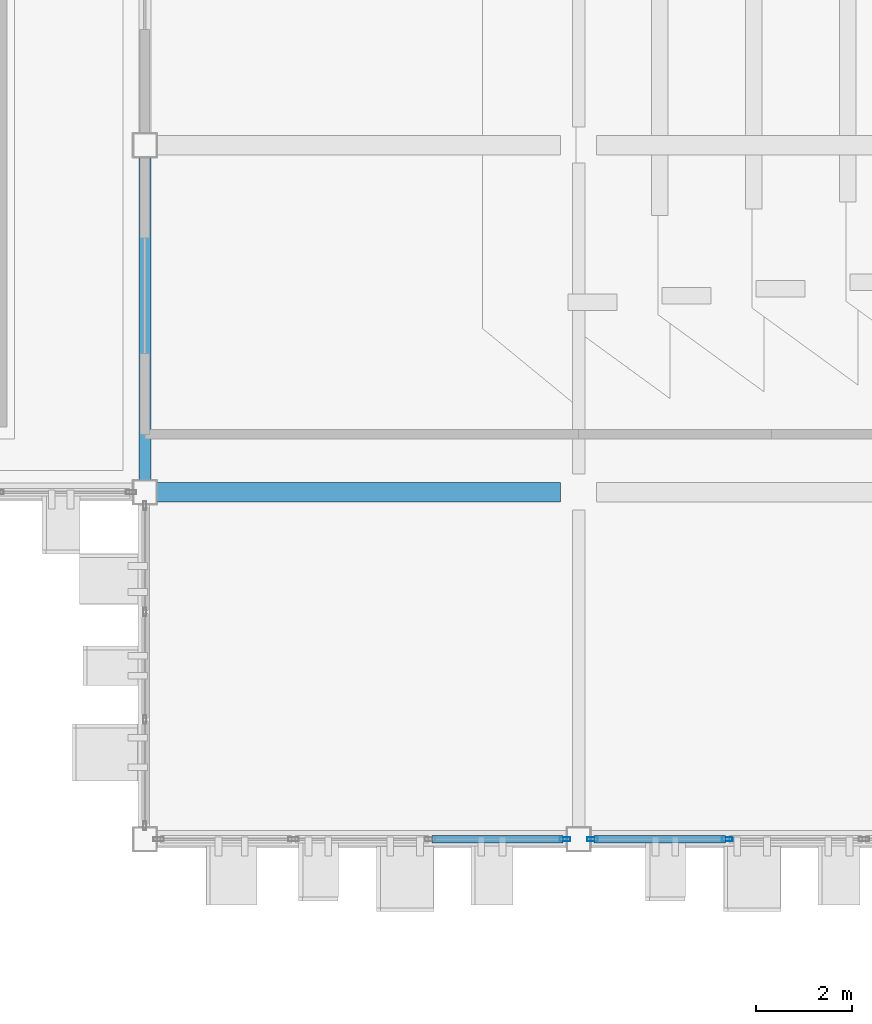
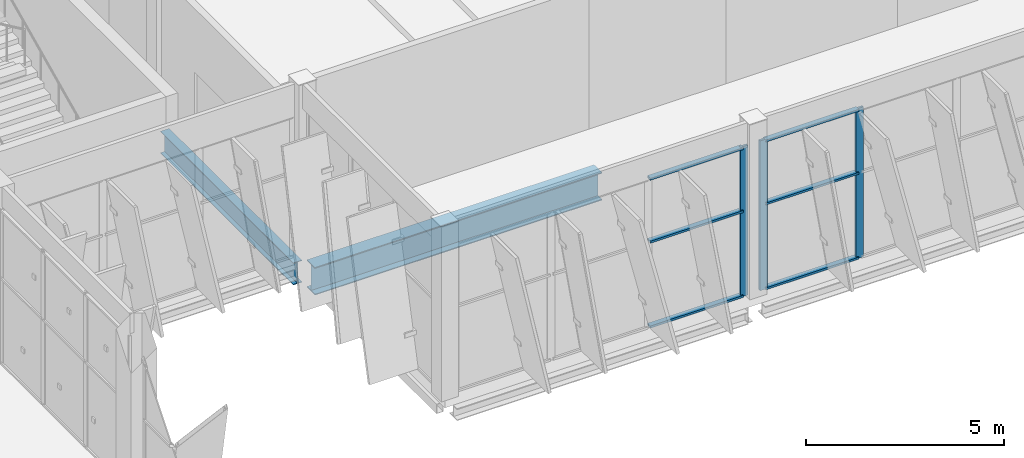
# One storey, part 79 of 189: 9 members, 2 beams, 2 elements without a shape of their own.
"""IFC4 building model written with IfcOpenShell, lengths in metres."""

from ifc_helpers import new_model, si_unit, direction, frame, origin, origin_2d, place, context, subcontext, project, spatial, hollow_rectangle, i_section, extrude, material, layer, layer_set, material_profile, profile_set, type_object, element, aggregate, save


model = new_model("IFC4")

# Units and contexts
model_context = context("Model", 3, precision=1e-05, world=origin(), true_north=direction((0.0, 1.0)))
body_context = subcontext(model_context, "Body", "Model", "MODEL_VIEW")
ifc_project = project(units=[si_unit("LENGTHUNIT", "METRE"), si_unit("AREAUNIT", "SQUARE_METRE"), si_unit("VOLUMEUNIT", "CUBIC_METRE"), si_unit("PLANEANGLEUNIT", "RADIAN"), si_unit("MASSUNIT", "GRAM", prefix="KILO")], contexts=[model_context])

# Site, building, storey
site_placement = place(None, origin())
site = spatial("IfcSite", under=ifc_project, at=site_placement, CompositionType="ELEMENT")
building_placement = place(site_placement, origin())
building = spatial("IfcBuilding", under=site, at=building_placement, Name="Celestram Park Convention Centre", CompositionType="ELEMENT")
storey_placement = place(building_placement, frame((0.0, 0.0, 5.39990234375)))
storey = spatial("IfcBuildingStorey", under=building, at=storey_placement, Name="L01", CompositionType="ELEMENT", Elevation=5.39990234375)

# Curtain wall, members
ifc_material_1 = material(Name="Anodised Aluminium Alloy 6063-T6", Category="aluminium")
ifc_layer = layer(ifc_material_1, 0.179931640625)
ifc_layer_set = layer_set([ifc_layer], Name="Anodised Aluminium Alloy 6063-T6")
curtain_wall_type = type_object("IfcCurtainWallType", Name="ARC-CW-850X462", PredefinedType="NOTDEFINED", material=ifc_layer_set)
curtain_wall_1_placement = place(storey_placement, origin())
curtain_wall_1 = element("IfcCurtainWall", 1, at=curtain_wall_1_placement, inside=storey, type_object=curtain_wall_type, Name="Unitised curtain wall CU-L01-082", PredefinedType="NOTDEFINED")
ifc_material_profile_1 = material_profile(ifc_material_1, hollow_rectangle(XDim=0.074951171875, YDim=0.219970703125, WallThickness=0.00390625, at=origin_2d()), Name="ALU75X220X4")
ifc_profile_set_1 = profile_set([ifc_material_profile_1], Name="Anodised Aluminium Alloy 6063-T6")
member_type_1 = type_object("IfcMemberType", Name="ARC-CWM-180", PredefinedType="MULLION", material=ifc_profile_set_1)
member_1_placement = place(storey_placement, frame((165.082763671875, 115.199951171875, 0.0), z_axis=(0.0, 0.0, 1.0), x_axis=(0.0, -1.0, 0.0)))
member_1 = element("IfcMember", 2, at=member_1_placement, type_object=member_type_1, Name="CW-85X46 mullion 3", PredefinedType="MULLION", context=body_context, shape_type="SweptSolid", body=[
    extrude(hollow_rectangle(XDim=0.074951171875, YDim=0.219970703125, WallThickness=0.00390625, at=origin_2d()), origin(), (0.0, 0.0, 1.0), 4.6240234375),
])
member_2_placement = place(storey_placement, frame((162.285400390625, 115.199951171875, 0.0), z_axis=(0.0, 0.0, 1.0), x_axis=(0.0, -1.0, 0.0)))
member_2 = element("IfcMember", 3, at=member_2_placement, type_object=member_type_1, Name="CW-85X46 mullion 4", PredefinedType="MULLION", context=body_context, shape_type="SweptSolid", body=[
    extrude(hollow_rectangle(XDim=0.074951171875, YDim=0.219970703125, WallThickness=0.00390625, at=origin_2d()), origin(), (0.0, 0.0, 1.0), 4.6240234375),
])

# Curtain wall, member
curtain_wall_2_placement = place(storey_placement, origin())
curtain_wall_2 = element("IfcCurtainWall", 4, at=curtain_wall_2_placement, inside=storey, type_object=curtain_wall_type, Name="Unitised curtain wall CU-L01-083", PredefinedType="NOTDEFINED")
member_3_placement = place(storey_placement, frame((161.714599609375, 115.199951171875, 0.0), z_axis=(0.0, 0.0, 1.0), x_axis=(0.0, -1.0, 0.0)))
member_3 = element("IfcMember", 5, at=member_3_placement, type_object=member_type_1, Name="CW-85X46 mullion 1", PredefinedType="MULLION", context=body_context, shape_type="SweptSolid", body=[
    extrude(hollow_rectangle(XDim=0.074951171875, YDim=0.219970703125, WallThickness=0.00390625, at=origin_2d()), origin(), (0.0, 0.0, 1.0), 4.6240234375),
])

# Member
ifc_material_profile_2 = material_profile(ifc_material_1, hollow_rectangle(XDim=0.14990234375, YDim=0.06494140625, WallThickness=0.0029296875, at=origin_2d()), Name="ALU150X65X3")
ifc_profile_set_2 = profile_set([ifc_material_profile_2], Name="Anodised Aluminium Alloy 6063-T6")
member_type_2 = type_object("IfcMemberType", Name="ARC-CWT-150", PredefinedType="USERDEFINED", material=ifc_profile_set_2)
member_4_placement = place(storey_placement, frame((165.045166015625, 115.199951171875, 0.03271484375), z_axis=(-1.0, 0.0, 0.0), x_axis=(0.0, -1.0, 0.0)))
member_4 = element("IfcMember", 6, at=member_4_placement, type_object=member_type_2, Name="CW-85X46 transom 3.1", ObjectType="TRANSOM", PredefinedType="USERDEFINED", context=body_context, shape_type="SweptSolid", body=[
    extrude(hollow_rectangle(XDim=0.14990234375, YDim=0.06494140625, WallThickness=0.0029296875, at=origin_2d()), origin(), (0.0, 0.0, 1.0), 2.72216796875),
])

member_5_placement = place(storey_placement, frame((165.045166015625, 115.199951171875, 2.650146484375), z_axis=(-1.0, 0.0, 0.0), x_axis=(0.0, -1.0, 0.0)))
member_5 = element("IfcMember", 7, at=member_5_placement, type_object=member_type_2, Name="CW-85X46 transom 3.2", ObjectType="TRANSOM", PredefinedType="USERDEFINED", context=body_context, shape_type="SweptSolid", body=[
    extrude(hollow_rectangle(XDim=0.14990234375, YDim=0.06494140625, WallThickness=0.0029296875, at=origin_2d()), origin(), (0.0, 0.0, 1.0), 2.72216796875),
])

member_6_placement = place(storey_placement, frame((165.045166015625, 115.199951171875, 4.591552734375), z_axis=(-1.0, 0.0, 0.0), x_axis=(0.0, -1.0, 0.0)))
member_6 = element("IfcMember", 8, at=member_6_placement, type_object=member_type_2, Name="CW-85X46 transom 3.3", ObjectType="TRANSOM", PredefinedType="USERDEFINED", context=body_context, shape_type="SweptSolid", body=[
    extrude(hollow_rectangle(XDim=0.14990234375, YDim=0.06494140625, WallThickness=0.0029296875, at=origin_2d()), origin(), (0.0, 0.0, 1.0), 2.72216796875),
])

aggregate(curtain_wall_1, [member_1, member_2, member_4, member_5, member_6])

member_7_placement = place(storey_placement, frame((161.677001953125, 115.199951171875, 0.03271484375), z_axis=(-1.0, 0.0, 0.0), x_axis=(0.0, -1.0, 0.0)))
member_7 = element("IfcMember", 9, at=member_7_placement, type_object=member_type_2, Name="CW-85X46 transom 1.1", ObjectType="TRANSOM", PredefinedType="USERDEFINED", context=body_context, shape_type="SweptSolid", body=[
    extrude(hollow_rectangle(XDim=0.14990234375, YDim=0.06494140625, WallThickness=0.0029296875, at=origin_2d()), origin(), (0.0, 0.0, 1.0), 2.72216796875),
])

member_8_placement = place(storey_placement, frame((161.677001953125, 115.199951171875, 2.650146484375), z_axis=(-1.0, 0.0, 0.0), x_axis=(0.0, -1.0, 0.0)))
member_8 = element("IfcMember", 10, at=member_8_placement, type_object=member_type_2, Name="CW-85X46 transom 1.2", ObjectType="TRANSOM", PredefinedType="USERDEFINED", context=body_context, shape_type="SweptSolid", body=[
    extrude(hollow_rectangle(XDim=0.14990234375, YDim=0.06494140625, WallThickness=0.0029296875, at=origin_2d()), origin(), (0.0, 0.0, 1.0), 2.72216796875),
])

member_9_placement = place(storey_placement, frame((161.677001953125, 115.199951171875, 4.591552734375), z_axis=(-1.0, 0.0, 0.0), x_axis=(0.0, -1.0, 0.0)))
member_9 = element("IfcMember", 11, at=member_9_placement, type_object=member_type_2, Name="CW-85X46 transom 1.3", ObjectType="TRANSOM", PredefinedType="USERDEFINED", context=body_context, shape_type="SweptSolid", body=[
    extrude(hollow_rectangle(XDim=0.14990234375, YDim=0.06494140625, WallThickness=0.0029296875, at=origin_2d()), origin(), (0.0, 0.0, 1.0), 2.72216796875),
])

aggregate(curtain_wall_2, [member_3, member_7, member_8, member_9])

# Beams
ifc_material_2 = material(Name="Steel ASTM A992 Grade 50", Category="steel")
ifc_material_profile_3 = material_profile(ifc_material_2, i_section(OverallWidth=0.25390625, OverallDepth=0.68310546875, WebThickness=0.012451171875, FlangeThickness=0.01904296875, at=origin_2d()), Name="W27X94")
ifc_profile_set_3 = profile_set([ifc_material_profile_3], Name="Steel ASTM A992 Grade 50")
beam_type_1 = type_object("IfcBeamType", Name="STR-BM-W27X94", PredefinedType="BEAM", material=ifc_profile_set_3)
beam_1_placement = place(storey_placement, frame((153.0, 122.64794921875, -0.761474609375), z_axis=(0.0, 1.0, 0.0), x_axis=(-1.0, 0.0, 0.0)))
element("IfcBeam", 12, at=beam_1_placement, inside=storey, type_object=beam_type_1, Name="Primary Y-girder BG-L01-0370", PredefinedType="BEAM", context=body_context, shape_type="SweptSolid", body=[
    extrude(i_section(OverallWidth=0.25390625, OverallDepth=0.68310546875, WebThickness=0.012451171875, FlangeThickness=0.01904296875, at=origin_2d()), origin(), (0.0, 0.0, 1.0), 6.7041015625),
])
ifc_material_profile_4 = material_profile(ifc_material_2, i_section(OverallWidth=0.40087890625, OverallDepth=0.85595703125, WebThickness=0.018310546875, FlangeThickness=0.029296875, at=origin_2d()), Name="W33X201")
ifc_profile_set_4 = profile_set([ifc_material_profile_4], Name="Steel ASTM A992 Grade 50")
beam_type_2 = type_object("IfcBeamType", Name="STR-BM-W33X201", PredefinedType="BEAM", material=ifc_profile_set_4)
beam_2_placement = place(storey_placement, frame((153.248046875, 122.39990234375, -0.847900390625), z_axis=(1.0, 0.0, 0.0), x_axis=(0.0, 1.0, 0.0)))
element("IfcBeam", 13, at=beam_2_placement, inside=storey, type_object=beam_type_2, Name="Primary X-girder BG-L01-0369", PredefinedType="BEAM", context=body_context, shape_type="SweptSolid", body=[
    extrude(i_section(OverallWidth=0.40087890625, OverallDepth=0.85595703125, WebThickness=0.018310546875, FlangeThickness=0.029296875, at=origin_2d()), origin(), (0.0, 0.0, 1.0), 8.37890625),
])

save(model, "model.ifc")
